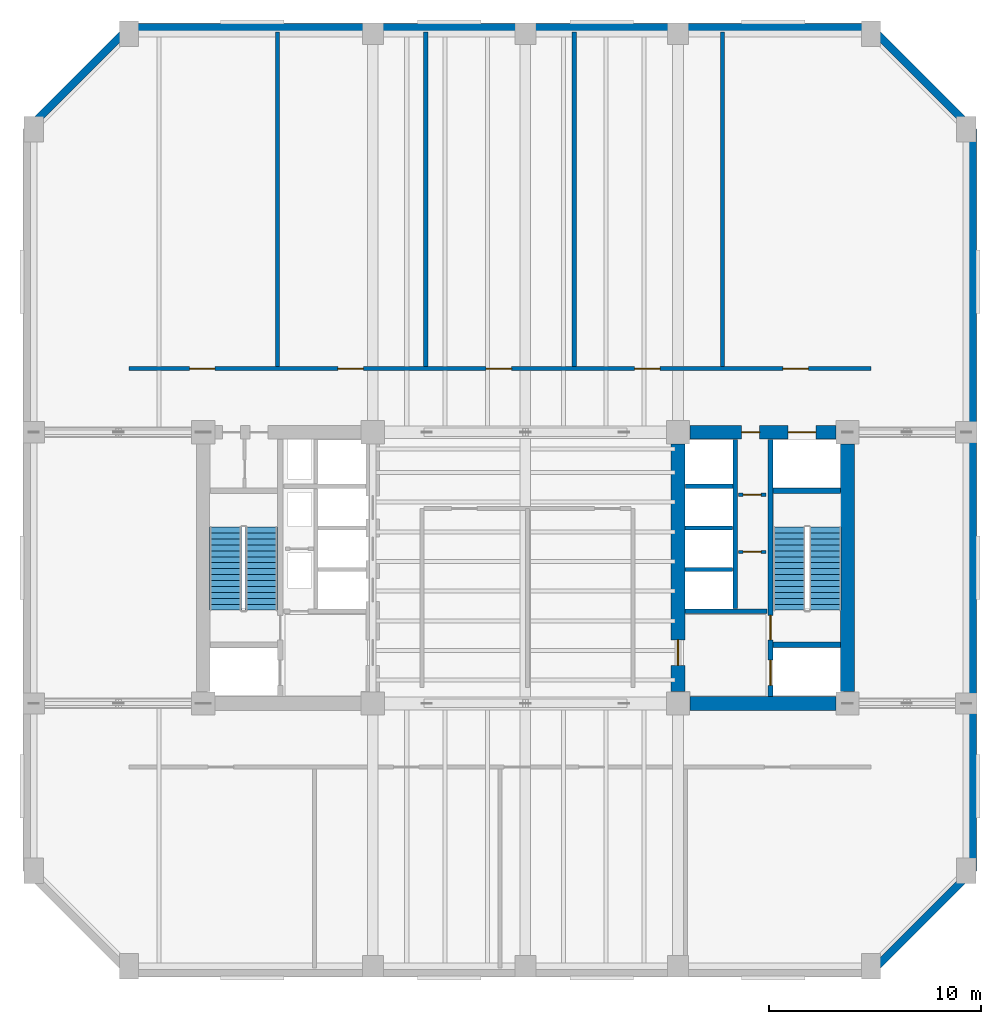
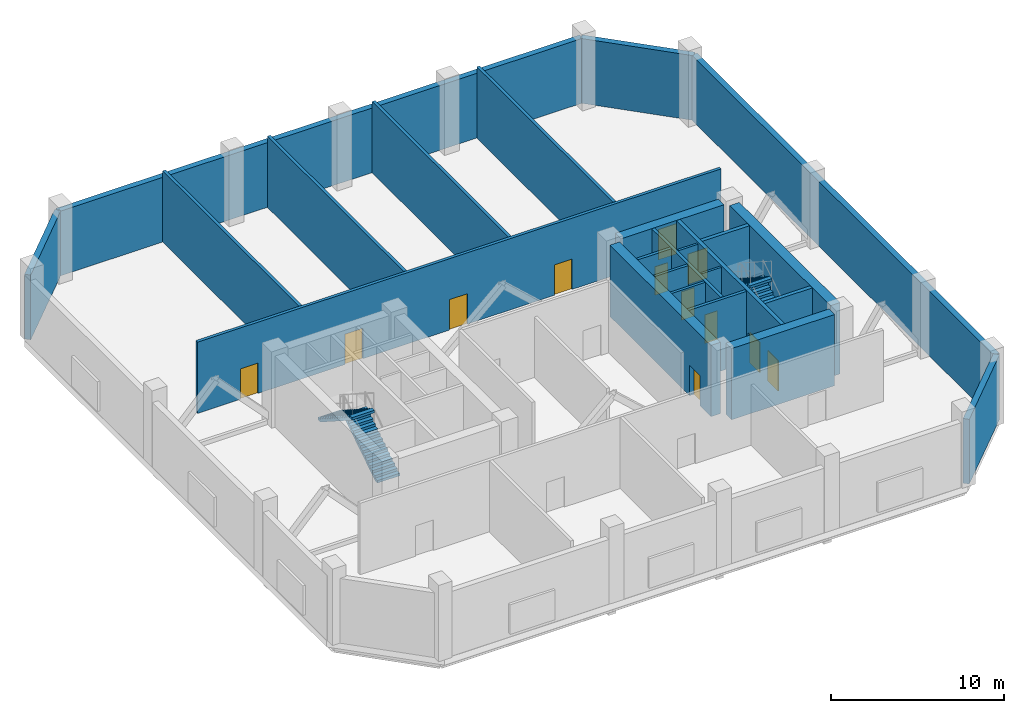
# One storey, part 6 of 9: 24 walls, 12 doors, 4 stair flights, 12 openings, 2 elements without a shape of their own.
"""IFC4 building model written with IfcOpenShell, lengths in metres."""

from ifc_helpers import new_model, si_unit, direction, frame, frame_2d, origin, place, context, subcontext, project, spatial, polyline, rectangle, outline, extrude, material, layer, layer_set, type_object, element, fill, aggregate, save


model = new_model("IFC4")

# Units and contexts
model_context = context("Model", 3, precision=1e-05, world=origin(), true_north=direction((0.0, 1.0)))
body_context = subcontext(model_context, "Body", "Model", "MODEL_VIEW")
ifc_project = project(units=[si_unit("LENGTHUNIT", "METRE"), si_unit("AREAUNIT", "SQUARE_METRE"), si_unit("VOLUMEUNIT", "CUBIC_METRE"), si_unit("PLANEANGLEUNIT", "RADIAN"), si_unit("MASSUNIT", "GRAM", prefix="KILO")], contexts=[model_context])

# Site, building, storey
site_placement = place(None, origin())
site = spatial("IfcSite", under=ifc_project, at=site_placement, CompositionType="ELEMENT")
building_placement = place(site_placement, origin())
building = spatial("IfcBuilding", under=site, at=building_placement, Name="Kranthara Brick Stack", CompositionType="ELEMENT")
storey_placement = place(building_placement, frame((0.0, 0.0, 110.10009765625)))
storey = spatial("IfcBuildingStorey", under=building, at=storey_placement, Name="L27", CompositionType="ELEMENT", Elevation=110.10009765625)

# Walls
ifc_material_1 = material(Name="Kiln-fired clay brick masonry M15", Category="masonry")
ifc_layer_1 = layer(ifc_material_1, 0.3798828125)
ifc_layer_set_1 = layer_set([ifc_layer_1], Name="Kiln-fired clay brick masonry M15")
wall_type_1 = type_object("IfcWallType", Name="WL-BRK-PIER-380", PredefinedType="STANDARD", material=ifc_layer_set_1)
wall_1_placement = place(storey_placement, frame((4.510009765625, 47.89990234375, 0.0), z_axis=(0.0, 0.0, 1.0), x_axis=(0.707106781187, 0.707106781187, 0.0)))
element("IfcWall", 1, at=wall_1_placement, inside=storey, type_object=wall_type_1, Name="L27 Exterior Brick Facade Wall NW 1", PredefinedType="STANDARD", context=body_context, shape_type="SweptSolid", body=[
    extrude(rectangle(XDim=6.774169921875, YDim=0.3798828125, at=frame_2d((3.38720703125, 0.0))), origin(), (0.0, 0.0, 1.0), 4.574951171875),
])
wall_2_placement = place(storey_placement, frame((9.300048828125, 52.68994140625, 0.0), z_axis=(0.0, 0.0, 1.0), x_axis=(1.0, 0.0, 0.0)))
element("IfcWall", 2, at=wall_2_placement, inside=storey, type_object=wall_type_1, Name="L27 Exterior Brick Facade Wall NORTH 1", PredefinedType="STANDARD", context=body_context, shape_type="SweptSolid", body=[
    extrude(rectangle(XDim=35.0, YDim=0.3798828125, at=frame_2d((17.5, 0.0))), origin(), (0.0, 0.0, 1.0), 4.574951171875),
])
wall_3_placement = place(storey_placement, frame((44.300048828125, 52.68994140625, 0.0), z_axis=(0.0, 0.0, 1.0), x_axis=(0.707106781187, -0.707106781187, 0.0)))
element("IfcWall", 3, at=wall_3_placement, inside=storey, type_object=wall_type_1, Name="L27 Exterior Brick Facade Wall NE 1", PredefinedType="STANDARD", context=body_context, shape_type="SweptSolid", body=[
    extrude(rectangle(XDim=6.774169921875, YDim=0.3798828125, at=frame_2d((3.38720703125, 0.0))), origin(), (0.0, 0.0, 1.0), 4.574951171875),
])
wall_4_placement = place(storey_placement, frame((49.090087890625, 47.89990234375, 0.0), z_axis=(0.0, 0.0, 1.0), x_axis=(0.0, -1.0, 0.0)))
element("IfcWall", 4, at=wall_4_placement, inside=storey, type_object=wall_type_1, Name="L27 Exterior Brick Facade Wall EAST 1", PredefinedType="STANDARD", context=body_context, shape_type="SweptSolid", body=[
    extrude(rectangle(XDim=35.0, YDim=0.3798828125, at=frame_2d((17.5, 0.0))), origin(), (0.0, 0.0, 1.0), 4.574951171875),
])
wall_5_placement = place(storey_placement, frame((49.090087890625, 12.89990234375, 0.0), z_axis=(0.0, 0.0, 1.0), x_axis=(-0.707124801467, -0.707088760447, 0.0)))
element("IfcWall", 5, at=wall_5_placement, inside=storey, type_object=wall_type_1, Name="L27 Exterior Brick Facade Wall SE 1", PredefinedType="STANDARD", context=body_context, shape_type="SweptSolid", body=[
    extrude(rectangle(XDim=6.77392578125, YDim=0.3798828125, at=frame_2d((3.386962890625, 0.0))), origin(), (0.0, 0.0, 1.0), 4.574951171875),
])

# Wall, openings, doors
ifc_material_2 = material(Name="Concrete C50/60", Category="concrete")
ifc_layer_2 = layer(ifc_material_2, 0.25)
ifc_layer_set_2 = layer_set([ifc_layer_2], Name="Concrete C50/60")
wall_type_2 = type_object("IfcWallType", Name="WL-CORE-250", PredefinedType="SHEAR", material=ifc_layer_set_2)
wall_6_placement = place(storey_placement, frame((39.56494140625, 21.135009765625, 0.0), z_axis=(0.0, 0.0, 1.0), x_axis=(0.0, 1.0, 0.0)))
wall_6 = element("IfcWall", 6, at=wall_6_placement, inside=storey, type_object=wall_type_2, Name="L27 East Core Stair Bearing Spine Wall", PredefinedType="SHEAR", context=body_context, shape_type="SweptSolid", body=[
    extrude(rectangle(XDim=12.1298828125, YDim=0.25, at=frame_2d((6.06494140625, 0.0))), origin(), (0.0, 0.0, 1.0), 5.039794921875),
])
opening_1_placement = place(wall_6_placement, frame((0.514892578125, 0.0, 0.0)))
opening_1 = element("IfcOpeningElement", 7, at=opening_1_placement, cuts=wall_6, Name="Opening LD01", PredefinedType="OPENING", context=body_context, shape_type="SweptSolid", body=[
    extrude(rectangle(XDim=1.199951171875, YDim=2.14990234375, at=frame_2d((0.60009765625, 1.074951171875))), frame((0.0, 0.135009765625, 0.0), z_axis=(0.0, -1.0, 0.0), x_axis=(1.0, 0.0, 0.0)), (0.0, 0.0, 1.0), 0.27001953125),
])
opening_2_placement = place(wall_6_placement, frame((2.6650390625, 0.0, 0.0)))
opening_2 = element("IfcOpeningElement", 8, at=opening_2_placement, cuts=wall_6, Name="Opening D05", PredefinedType="OPENING", context=body_context, shape_type="SweptSolid", body=[
    extrude(rectangle(XDim=1.14990234375, YDim=2.14990234375, at=frame_2d((0.574951171875, 1.074951171875))), frame((0.0, 0.135009765625, 0.0), z_axis=(0.0, -1.0, 0.0), x_axis=(1.0, 0.0, 0.0)), (0.0, 0.0, 1.0), 0.27001953125),
])
ifc_material_3 = material(Name="Stainless steel sliding landing door", Category="steel")
door_type_1 = type_object("IfcDoorType", Name="DR-LD-FF1200", OperationType="DOUBLE_DOOR_SLIDING", PredefinedType="DOOR", material=ifc_material_3)
door_1_placement = place(opening_1_placement, origin())
door_1 = element("IfcDoor", 9, at=door_1_placement, inside=storey, type_object=door_type_1, Name="L27 Firefighting Lift FF-02 Landing Door", OperationType="DOUBLE_DOOR_SLIDING", OverallHeight=2.14990234375, OverallWidth=1.199951171875, PredefinedType="DOOR", context=body_context, shape_type="SweptSolid", body=[
    extrude(rectangle(XDim=1.199951171875, YDim=2.14990234375, at=frame_2d((0.60009765625, 1.074951171875))), frame((0.0, 0.02490234375, 0.0), z_axis=(0.0, -1.0, 0.0), x_axis=(1.0, 0.0, 0.0)), (0.0, 0.0, 1.0), 0.050048828125),
])
fill(opening_1, door_1)
ifc_material_4 = material(Name="Solid-core hardwood timber leaf in steel frame", Category="steel")
door_type_2 = type_object("IfcDoorType", Name="DR-ST-1150", OperationType="NOTDEFINED", PredefinedType="DOOR", material=ifc_material_4)
door_2_placement = place(opening_2_placement, origin())
door_2 = element("IfcDoor", 10, at=door_2_placement, inside=storey, type_object=door_type_2, Name="L27 Exit Stair ST02 Door", OperationType="SINGLE_SWING_LEFT", OverallHeight=2.14990234375, OverallWidth=1.14990234375, PredefinedType="DOOR", context=body_context, shape_type="SweptSolid", body=[
    extrude(rectangle(XDim=1.14990234375, YDim=2.14990234375, at=frame_2d((0.574951171875, 1.074951171875))), frame((0.0, 0.02490234375, 0.0), z_axis=(0.0, -1.0, 0.0), x_axis=(1.0, 0.0, 0.0)), (0.0, 0.0, 1.0), 0.050048828125),
])
fill(opening_2, door_2)

# Walls
for number, where, z_axis, x_axis, name in (
    (11, (39.68994140625, 23.570068359375, 0.0), (0.0, 0.0, 1.0), (1.0, 0.0, 0.0), "L27 East Stairwell Bearing Wall EFF"),
    (12, (39.68994140625, 30.830078125, 0.0), (0.0, 0.0, 1.0), (1.0, 0.0, 0.0), "L27 East Stairwell Bearing Wall EST"),
):
    element("IfcWall", number, at=place(storey_placement, frame(where, z_axis=z_axis, x_axis=x_axis)), inside=storey, type_object=wall_type_2, Name=name, PredefinedType="SHEAR", context=body_context, shape_type="SweptSolid", body=[
        extrude(rectangle(XDim=3.175048828125, YDim=0.25, at=frame_2d((1.58740234375, 0.0))), origin(), (0.0, 0.0, 1.0), 5.039794921875),
    ])
ifc_material_5 = material(Name="Concrete C60/75", Category="concrete")
ifc_layer_3 = layer(ifc_material_5, 0.64990234375)
ifc_layer_set_3 = layer_set([ifc_layer_3], Name="Concrete C60/75")
wall_type_3 = type_object("IfcWallType", Name="WL-CORE-650", PredefinedType="SHEAR", material=ifc_layer_set_3)
wall_7_placement = place(storey_placement, frame((43.199951171875, 21.35498046875, 0.0), z_axis=(0.0, 0.0, 1.0), x_axis=(0.0, 1.0, 0.0)))
element("IfcWall", 13, at=wall_7_placement, inside=storey, type_object=wall_type_3, Name="L27 East Core Shear Wall East", PredefinedType="SHEAR", context=body_context, shape_type="SweptSolid", body=[
    extrude(rectangle(XDim=11.68994140625, YDim=0.64990234375, at=frame_2d((5.844970703125, 0.0))), origin(), (0.0, 0.0, 1.0), 5.039794921875),
])
wall_8_placement = place(storey_placement, frame((35.7548828125, 20.800048828125, 0.0), z_axis=(0.0, 0.0, 1.0), x_axis=(1.0, 0.0, 0.0)))
element("IfcWall", 14, at=wall_8_placement, inside=storey, type_object=wall_type_3, Name="L27 East Core Shear Wall South", PredefinedType="SHEAR", context=body_context, shape_type="SweptSolid", body=[
    extrude(rectangle(XDim=6.89013671875, YDim=0.64990234375, at=frame_2d((3.445068359375, 0.0))), origin(), (0.0, 0.0, 1.0), 5.039794921875),
])

# Wall, openings, doors
wall_9_placement = place(storey_placement, frame((35.7548828125, 33.60009765625, 0.0), z_axis=(0.0, 0.0, 1.0), x_axis=(1.0, 0.0, 0.0)))
wall_9 = element("IfcWall", 15, at=wall_9_placement, inside=storey, type_object=wall_type_3, Name="L27 East Core Shear Wall North", PredefinedType="SHEAR", context=body_context, shape_type="SweptSolid", body=[
    extrude(rectangle(XDim=6.89013671875, YDim=0.64990234375, at=frame_2d((3.445068359375, 0.0))), origin(), (0.0, 0.0, 1.0), 5.039794921875),
])
opening_3_placement = place(wall_9_placement, frame((4.64501953125, 0.0, 0.0)))
opening_3 = element("IfcOpeningElement", 16, at=opening_3_placement, cuts=wall_9, Name="Opening LD03", PredefinedType="OPENING", context=body_context, shape_type="SweptSolid", body=[
    extrude(rectangle(XDim=1.300048828125, YDim=2.14990234375, at=frame_2d((0.64990234375, 1.074951171875))), frame((0.0, 0.3349609375, 0.0), z_axis=(0.0, -1.0, 0.0), x_axis=(1.0, 0.0, 0.0)), (0.0, 0.0, 1.0), 0.669921875),
])
opening_4_placement = place(wall_9_placement, frame((2.445068359375, 0.0, 0.0)))
opening_4 = element("IfcOpeningElement", 17, at=opening_4_placement, cuts=wall_9, Name="Opening D10", PredefinedType="OPENING", context=body_context, shape_type="SweptSolid", body=[
    extrude(rectangle(XDim=0.85009765625, YDim=2.02001953125, at=frame_2d((0.425048828125, 1.010009765625))), frame((0.0, 0.3349609375, 0.0), z_axis=(0.0, -1.0, 0.0), x_axis=(1.0, 0.0, 0.0)), (0.0, 0.0, 1.0), 0.669921875),
])
ifc_material_6 = material(Name="Stainless steel sliding landing door", Category="steel")
door_type_3 = type_object("IfcDoorType", Name="DR-LD-SV1300", OperationType="DOUBLE_DOOR_SLIDING", PredefinedType="DOOR", material=ifc_material_6)
door_3_placement = place(opening_3_placement, origin())
door_3 = element("IfcDoor", 18, at=door_3_placement, inside=storey, type_object=door_type_3, Name="L27 Stretcher Service Lift SV-01 Landing Door", OperationType="DOUBLE_DOOR_SLIDING", OverallHeight=2.14990234375, OverallWidth=1.300048828125, PredefinedType="DOOR", context=body_context, shape_type="SweptSolid", body=[
    extrude(rectangle(XDim=1.300048828125, YDim=2.14990234375, at=frame_2d((0.64990234375, 1.074951171875))), frame((0.0, 0.02490234375, 0.0), z_axis=(0.0, -1.0, 0.0), x_axis=(1.0, 0.0, 0.0)), (0.0, 0.0, 1.0), 0.050048828125),
])
fill(opening_3, door_3)
ifc_material_7 = material(Name="Solid-core hardwood timber leaf in steel frame", Category="steel")
door_type_4 = type_object("IfcDoorType", Name="DR-RSR-850", OperationType="NOTDEFINED", PredefinedType="DOOR", material=ifc_material_7)
door_4_placement = place(opening_4_placement, origin())
door_4 = element("IfcDoor", 19, at=door_4_placement, inside=storey, type_object=door_type_4, Name="L27 East Core Service Room Door", OperationType="SINGLE_SWING_LEFT", OverallHeight=2.02001953125, OverallWidth=0.85009765625, PredefinedType="DOOR", context=body_context, shape_type="SweptSolid", body=[
    extrude(rectangle(XDim=0.85009765625, YDim=2.02001953125, at=frame_2d((0.425048828125, 1.010009765625))), frame((0.0, 0.02490234375, 0.0), z_axis=(0.0, -1.0, 0.0), x_axis=(1.0, 0.0, 0.0)), (0.0, 0.0, 1.0), 0.050048828125),
])
fill(opening_4, door_4)

# Wall, opening, door
wall_10_placement = place(storey_placement, frame((35.199951171875, 21.35498046875, 0.0), z_axis=(0.0, 0.0, 1.0), x_axis=(0.0, 1.0, 0.0)))
wall_10 = element("IfcWall", 20, at=wall_10_placement, inside=storey, type_object=wall_type_3, Name="L27 East Core Shear Wall West", PredefinedType="SHEAR", context=body_context, shape_type="SweptSolid", body=[
    extrude(rectangle(XDim=11.68994140625, YDim=0.64990234375, at=frame_2d((5.844970703125, 0.0))), origin(), (0.0, 0.0, 1.0), 5.039794921875),
])
opening_5_placement = place(wall_10_placement, frame((1.2451171875, 0.0, 0.0)))
opening_5 = element("IfcOpeningElement", 21, at=opening_5_placement, cuts=wall_10, Name="Opening D06", PredefinedType="OPENING", context=body_context, shape_type="SweptSolid", body=[
    extrude(rectangle(XDim=1.199951171875, YDim=2.14990234375, at=frame_2d((0.60009765625, 1.074951171875))), frame((0.0, 0.3349609375, 0.0), z_axis=(0.0, -1.0, 0.0), x_axis=(1.0, 0.0, 0.0)), (0.0, 0.0, 1.0), 0.669921875),
])
ifc_material_8 = material(Name="Solid-core hardwood timber leaf in steel frame", Category="steel")
door_type_5 = type_object("IfcDoorType", Name="DR-FFL-1200", OperationType="NOTDEFINED", PredefinedType="DOOR", material=ifc_material_8)
door_5_placement = place(opening_5_placement, origin())
door_5 = element("IfcDoor", 22, at=door_5_placement, inside=storey, type_object=door_type_5, Name="L27 East Firefighting Lobby Door", OperationType="SINGLE_SWING_RIGHT", OverallHeight=2.14990234375, OverallWidth=1.199951171875, PredefinedType="DOOR", context=body_context, shape_type="SweptSolid", body=[
    extrude(rectangle(XDim=1.199951171875, YDim=2.14990234375, at=frame_2d((0.60009765625, 1.074951171875))), frame((0.0, 0.02490234375, 0.0), z_axis=(0.0, -1.0, 0.0), x_axis=(1.0, 0.0, 0.0)), (0.0, 0.0, 1.0), 0.050048828125),
])
fill(opening_5, door_5)

ifc_material_9 = material(Name="Fire-rated gypsum board partition", Category="other")
ifc_layer_4 = layer(ifc_material_9, 0.14990234375)
ifc_layer_set_4 = layer_set([ifc_layer_4], Name="Fire-rated gypsum board partition")
wall_type_4 = type_object("IfcWallType", Name="WL-PART-150", PredefinedType="PARTITIONING", material=ifc_layer_set_4)
wall_11_placement = place(storey_placement, frame((38.050048828125, 27.949951171875, 0.0), z_axis=(0.0, 0.0, 1.0), x_axis=(1.0, 0.0, 0.0)))
wall_11 = element("IfcWall", 23, at=wall_11_placement, inside=storey, type_object=wall_type_4, Name="L27 Interior Partition 002", PredefinedType="PARTITIONING", context=body_context, shape_type="SweptSolid", body=[
    extrude(rectangle(XDim=1.300048828125, YDim=0.14990234375, at=frame_2d((0.64990234375, 0.0))), origin(), (0.0, 0.0, 1.0), 5.039794921875),
])
opening_6_placement = place(wall_11_placement, frame((0.219970703125, 0.0, 0.0)))
opening_6 = element("IfcOpeningElement", 24, at=opening_6_placement, cuts=wall_11, Name="Opening D10", PredefinedType="OPENING", context=body_context, shape_type="SweptSolid", body=[
    extrude(rectangle(XDim=0.85009765625, YDim=2.02001953125, at=frame_2d((0.425048828125, 1.010009765625))), frame((0.0, 0.0849609375, 0.0), z_axis=(0.0, -1.0, 0.0), x_axis=(1.0, 0.0, 0.0)), (0.0, 0.0, 1.0), 0.169921875),
])
door_6_placement = place(opening_6_placement, origin())
door_6 = element("IfcDoor", 25, at=door_6_placement, inside=storey, type_object=door_type_4, Name="L27 Riser Door 1 02", OperationType="SINGLE_SWING_RIGHT", OverallHeight=2.02001953125, OverallWidth=0.85009765625, PredefinedType="DOOR", context=body_context, shape_type="SweptSolid", body=[
    extrude(rectangle(XDim=0.85009765625, YDim=2.02001953125, at=frame_2d((0.425048828125, 1.010009765625))), frame((0.0, 0.02490234375, 0.0), z_axis=(0.0, -1.0, 0.0), x_axis=(1.0, 0.0, 0.0)), (0.0, 0.0, 1.0), 0.050048828125),
])
fill(opening_6, door_6)

wall_12_placement = place(storey_placement, frame((38.050048828125, 30.64990234375, 0.0), z_axis=(0.0, 0.0, 1.0), x_axis=(1.0, 0.0, 0.0)))
wall_12 = element("IfcWall", 26, at=wall_12_placement, inside=storey, type_object=wall_type_4, Name="L27 Interior Partition 003", PredefinedType="PARTITIONING", context=body_context, shape_type="SweptSolid", body=[
    extrude(rectangle(XDim=1.300048828125, YDim=0.14990234375, at=frame_2d((0.64990234375, 0.0))), origin(), (0.0, 0.0, 1.0), 5.039794921875),
])
opening_7_placement = place(wall_12_placement, frame((0.219970703125, 0.0, 0.0)))
opening_7 = element("IfcOpeningElement", 27, at=opening_7_placement, cuts=wall_12, Name="Opening D10", PredefinedType="OPENING", context=body_context, shape_type="SweptSolid", body=[
    extrude(rectangle(XDim=0.85009765625, YDim=2.02001953125, at=frame_2d((0.425048828125, 1.010009765625))), frame((0.0, 0.0849609375, 0.0), z_axis=(0.0, -1.0, 0.0), x_axis=(1.0, 0.0, 0.0)), (0.0, 0.0, 1.0), 0.169921875),
])
door_7_placement = place(opening_7_placement, origin())
door_7 = element("IfcDoor", 28, at=door_7_placement, inside=storey, type_object=door_type_4, Name="L27 Riser Door 2 03", OperationType="SINGLE_SWING_LEFT", OverallHeight=2.02001953125, OverallWidth=0.85009765625, PredefinedType="DOOR", context=body_context, shape_type="SweptSolid", body=[
    extrude(rectangle(XDim=0.85009765625, YDim=2.02001953125, at=frame_2d((0.425048828125, 1.010009765625))), frame((0.0, 0.02490234375, 0.0), z_axis=(0.0, -1.0, 0.0), x_axis=(1.0, 0.0, 0.0)), (0.0, 0.0, 1.0), 0.050048828125),
])
fill(opening_7, door_7)

# Walls
ifc_material_10 = material(Name="Gypsum plasterboard on acoustic twin stud", Category="other")
ifc_layer_5 = layer(ifc_material_10, 0.179931640625)
ifc_layer_set_5 = layer_set([ifc_layer_5], Name="Gypsum plasterboard on acoustic twin stud")
wall_type_5 = type_object("IfcWallType", Name="WL-PART-180", PredefinedType="PARTITIONING", material=ifc_layer_set_5)
for number, where, z_axis, x_axis, name in (
    (29, (35.534912109375, 27.1201171875, 0.0), (0.0, 0.0, 1.0), (1.0, 0.0, 0.0), "L27 East Hoistway Wall EH1"),
    (30, (35.534912109375, 29.080078125, 0.0), (0.0, 0.0, 1.0), (1.0, 0.0, 0.0), "L27 East Hoistway Wall EH2"),
):
    element("IfcWall", number, at=place(storey_placement, frame(where, z_axis=z_axis, x_axis=x_axis)), inside=storey, type_object=wall_type_5, Name=name, PredefinedType="PARTITIONING", context=body_context, shape_type="SweptSolid", body=[
        extrude(rectangle(XDim=2.2451171875, YDim=0.179931640625, at=frame_2d((1.12255859375, 0.0))), origin(), (0.0, 0.0, 1.0), 5.039794921875),
    ])
ifc_material_11 = material(Name="Concrete C40/50", Category="concrete")
ifc_layer_6 = layer(ifc_material_11, 0.199951171875)
ifc_layer_set_6 = layer_set([ifc_layer_6], Name="Concrete C40/50")
wall_type_6 = type_object("IfcWallType", Name="WL-PART-200", PredefinedType="SOLIDWALL", material=ifc_layer_set_6)
wall_13_placement = place(storey_placement, frame((35.534912109375, 25.14990234375, 0.0), z_axis=(0.0, 0.0, 1.0), x_axis=(1.0, 0.0, 0.0)))
element("IfcWall", 31, at=wall_13_placement, inside=storey, type_object=wall_type_6, Name="L27 East Core Cross Wall EFL", PredefinedType="SOLIDWALL", context=body_context, shape_type="SweptSolid", body=[
    extrude(rectangle(XDim=3.864990234375, YDim=0.199951171875, at=frame_2d((1.9326171875, 0.0))), origin(), (0.0, 0.0, 1.0), 5.039794921875),
])
wall_14_placement = place(storey_placement, frame((35.550048828125, 31.050048828125, 0.0), z_axis=(0.0, 0.0, 1.0), x_axis=(1.0, 0.0, 0.0)))
element("IfcWall", 32, at=wall_14_placement, inside=storey, type_object=wall_type_6, Name="L27 East Core Cross Wall EE4", PredefinedType="SOLIDWALL", context=body_context, shape_type="SweptSolid", body=[
    extrude(rectangle(XDim=2.25, YDim=0.199951171875, at=frame_2d((1.125, 0.0))), origin(), (0.0, 0.0, 1.0), 5.039794921875),
])
wall_15_placement = place(storey_placement, frame((37.89990234375, 25.27001953125, 0.0), z_axis=(0.0, 0.0, 1.0), x_axis=(0.0, 1.0, 0.0)))
element("IfcWall", 33, at=wall_15_placement, inside=storey, type_object=wall_type_6, Name="L27 East Core Cross Wall ESV", PredefinedType="SOLIDWALL", context=body_context, shape_type="SweptSolid", body=[
    extrude(rectangle(XDim=7.994873046875, YDim=0.199951171875, at=frame_2d((3.99755859375, 0.0))), origin(), (0.0, 0.0, 1.0), 5.039794921875),
])

# Wall, openings, doors
wall_16_placement = place(storey_placement, frame((9.300048828125, 36.60009765625, 0.0), z_axis=(0.0, 0.0, 1.0), x_axis=(1.0, 0.0, 0.0)))
wall_16 = element("IfcWall", 34, at=wall_16_placement, inside=storey, type_object=wall_type_6, Name="L27 Interior Partition 006", PredefinedType="SOLIDWALL", context=body_context, shape_type="SweptSolid", body=[
    extrude(rectangle(XDim=35.0, YDim=0.199951171875, at=frame_2d((17.5, 0.0))), origin(), (0.0, 0.0, 1.0), 5.039794921875),
])
opening_8_placement = place(wall_16_placement, frame((2.85009765625, 0.0, 0.0)))
opening_8 = element("IfcOpeningElement", 35, at=opening_8_placement, cuts=wall_16, Name="Opening D21", PredefinedType="OPENING", context=body_context, shape_type="SweptSolid", body=[
    extrude(rectangle(XDim=1.199951171875, YDim=2.14990234375, at=frame_2d((0.60009765625, 1.074951171875))), frame((0.0, 0.10986328125, 0.0), z_axis=(0.0, -1.0, 0.0), x_axis=(1.0, 0.0, 0.0)), (0.0, 0.0, 1.0), 0.219970703125),
])
opening_9_placement = place(wall_16_placement, frame((9.85009765625, 0.0, 0.0)))
opening_9 = element("IfcOpeningElement", 36, at=opening_9_placement, cuts=wall_16, Name="Opening D21", PredefinedType="OPENING", context=body_context, shape_type="SweptSolid", body=[
    extrude(rectangle(XDim=1.199951171875, YDim=2.14990234375, at=frame_2d((0.60009765625, 1.074951171875))), frame((0.0, 0.10986328125, 0.0), z_axis=(0.0, -1.0, 0.0), x_axis=(1.0, 0.0, 0.0)), (0.0, 0.0, 1.0), 0.219970703125),
])
opening_10_placement = place(wall_16_placement, frame((16.85009765625, 0.0, 0.0)))
opening_10 = element("IfcOpeningElement", 37, at=opening_10_placement, cuts=wall_16, Name="Opening D21", PredefinedType="OPENING", context=body_context, shape_type="SweptSolid", body=[
    extrude(rectangle(XDim=1.199951171875, YDim=2.14990234375, at=frame_2d((0.60009765625, 1.074951171875))), frame((0.0, 0.10986328125, 0.0), z_axis=(0.0, -1.0, 0.0), x_axis=(1.0, 0.0, 0.0)), (0.0, 0.0, 1.0), 0.219970703125),
])
opening_11_placement = place(wall_16_placement, frame((23.85009765625, 0.0, 0.0)))
opening_11 = element("IfcOpeningElement", 38, at=opening_11_placement, cuts=wall_16, Name="Opening D21", PredefinedType="OPENING", context=body_context, shape_type="SweptSolid", body=[
    extrude(rectangle(XDim=1.199951171875, YDim=2.14990234375, at=frame_2d((0.60009765625, 1.074951171875))), frame((0.0, 0.10986328125, 0.0), z_axis=(0.0, -1.0, 0.0), x_axis=(1.0, 0.0, 0.0)), (0.0, 0.0, 1.0), 0.219970703125),
])
opening_12_placement = place(wall_16_placement, frame((30.85009765625, 0.0, 0.0)))
opening_12 = element("IfcOpeningElement", 39, at=opening_12_placement, cuts=wall_16, Name="Opening D21", PredefinedType="OPENING", context=body_context, shape_type="SweptSolid", body=[
    extrude(rectangle(XDim=1.199951171875, YDim=2.14990234375, at=frame_2d((0.60009765625, 1.074951171875))), frame((0.0, 0.10986328125, 0.0), z_axis=(0.0, -1.0, 0.0), x_axis=(1.0, 0.0, 0.0)), (0.0, 0.0, 1.0), 0.219970703125),
])
ifc_material_12 = material(Name="Solid-core hardwood timber leaf in steel frame", Category="steel")
door_type_6 = type_object("IfcDoorType", Name="DR-FD-1200", OperationType="NOTDEFINED", PredefinedType="DOOR", material=ifc_material_12)
door_8_placement = place(opening_8_placement, origin())
door_8 = element("IfcDoor", 40, at=door_8_placement, inside=storey, type_object=door_type_6, Name="L27 North Plant 4 11", OperationType="SINGLE_SWING_LEFT", OverallHeight=2.14990234375, OverallWidth=1.199951171875, PredefinedType="DOOR", context=body_context, shape_type="SweptSolid", body=[
    extrude(rectangle(XDim=1.199951171875, YDim=2.14990234375, at=frame_2d((0.60009765625, 1.074951171875))), frame((0.0, 0.02490234375, 0.0), z_axis=(0.0, -1.0, 0.0), x_axis=(1.0, 0.0, 0.0)), (0.0, 0.0, 1.0), 0.050048828125),
])
fill(opening_8, door_8)
door_9_placement = place(opening_9_placement, origin())
door_9 = element("IfcDoor", 41, at=door_9_placement, inside=storey, type_object=door_type_6, Name="L27 North Plant 5 12", OperationType="SINGLE_SWING_RIGHT", OverallHeight=2.14990234375, OverallWidth=1.199951171875, PredefinedType="DOOR", context=body_context, shape_type="SweptSolid", body=[
    extrude(rectangle(XDim=1.199951171875, YDim=2.14990234375, at=frame_2d((0.60009765625, 1.074951171875))), frame((0.0, 0.02490234375, 0.0), z_axis=(0.0, -1.0, 0.0), x_axis=(1.0, 0.0, 0.0)), (0.0, 0.0, 1.0), 0.050048828125),
])
fill(opening_9, door_9)
door_10_placement = place(opening_10_placement, origin())
door_10 = element("IfcDoor", 42, at=door_10_placement, inside=storey, type_object=door_type_6, Name="L27 North Plant 6 13", OperationType="SINGLE_SWING_LEFT", OverallHeight=2.14990234375, OverallWidth=1.199951171875, PredefinedType="DOOR", context=body_context, shape_type="SweptSolid", body=[
    extrude(rectangle(XDim=1.199951171875, YDim=2.14990234375, at=frame_2d((0.60009765625, 1.074951171875))), frame((0.0, 0.02490234375, 0.0), z_axis=(0.0, -1.0, 0.0), x_axis=(1.0, 0.0, 0.0)), (0.0, 0.0, 1.0), 0.050048828125),
])
fill(opening_10, door_10)
door_11_placement = place(opening_11_placement, origin())
door_11 = element("IfcDoor", 43, at=door_11_placement, inside=storey, type_object=door_type_6, Name="L27 North Plant 7 14", OperationType="SINGLE_SWING_RIGHT", OverallHeight=2.14990234375, OverallWidth=1.199951171875, PredefinedType="DOOR", context=body_context, shape_type="SweptSolid", body=[
    extrude(rectangle(XDim=1.199951171875, YDim=2.14990234375, at=frame_2d((0.60009765625, 1.074951171875))), frame((0.0, 0.02490234375, 0.0), z_axis=(0.0, -1.0, 0.0), x_axis=(1.0, 0.0, 0.0)), (0.0, 0.0, 1.0), 0.050048828125),
])
fill(opening_11, door_11)
door_12_placement = place(opening_12_placement, origin())
door_12 = element("IfcDoor", 44, at=door_12_placement, inside=storey, type_object=door_type_6, Name="L27 North Plant 8 15", OperationType="SINGLE_SWING_LEFT", OverallHeight=2.14990234375, OverallWidth=1.199951171875, PredefinedType="DOOR", context=body_context, shape_type="SweptSolid", body=[
    extrude(rectangle(XDim=1.199951171875, YDim=2.14990234375, at=frame_2d((0.60009765625, 1.074951171875))), frame((0.0, 0.02490234375, 0.0), z_axis=(0.0, -1.0, 0.0), x_axis=(1.0, 0.0, 0.0)), (0.0, 0.0, 1.0), 0.050048828125),
])
fill(opening_12, door_12)

# Walls
for number, where, z_axis, x_axis, name in (
    (45, (16.300048828125, 36.705078125, 0.0), (0.0, 0.0, 1.0), (0.0, 1.0, 0.0), "L27 Interior Partition 014"),
    (46, (23.300048828125, 36.705078125, 0.0), (0.0, 0.0, 1.0), (0.0, 1.0, 0.0), "L27 Interior Partition 015"),
    (47, (30.300048828125, 36.705078125, 0.0), (0.0, 0.0, 1.0), (0.0, 1.0, 0.0), "L27 Interior Partition 016"),
    (48, (37.300048828125, 36.705078125, 0.0), (0.0, 0.0, 1.0), (0.0, 1.0, 0.0), "L27 Interior Partition 017"),
):
    element("IfcWall", number, at=place(storey_placement, frame(where, z_axis=z_axis, x_axis=x_axis)), inside=storey, type_object=wall_type_6, Name=name, PredefinedType="SOLIDWALL", context=body_context, shape_type="SweptSolid", body=[
        extrude(rectangle(XDim=15.7900390625, YDim=0.199951171875, at=frame_2d((7.89501953125, 0.0))), origin(), (0.0, 0.0, 1.0), 5.039794921875),
    ])

# Stair, stair flights
ifc_material_13 = material(Name="Concrete C45/55", Category="concrete")
stair_type = type_object("IfcStairType", Name="ST-CORE-30R", PredefinedType="HALF_TURN_STAIR", material=ifc_material_13)
stair_1_placement = place(storey_placement, origin())
stair_1 = element("IfcStair", 49, at=stair_1_placement, inside=storey, type_object=stair_type, Name="L27 West Core Protected Exit Stair ST01", PredefinedType="HALF_TURN_STAIR")
ifc_material_14 = material(Name="Concrete C45/55", Category="concrete")
stair_flight_type = type_object("IfcStairFlightType", Name="SFL-RC-30R", PredefinedType="STRAIGHT", material=ifc_material_14)
stair_flight_1_placement = place(storey_placement, frame((15.550048828125, 25.199951171875, 0.0), z_axis=(0.0, 0.0, 1.0), x_axis=(0.0, 1.0, 0.0)))
stair_flight_1 = element("IfcStairFlight", 50, at=stair_flight_1_placement, type_object=stair_flight_type, Name="ST01 flight 1", NumberOfRisers=15, NumberOfTreads=14, PredefinedType="STRAIGHT", RiserHeight=0.18, TreadLength=0.28, context=body_context, shape_type="SweptSolid", body=[
    extrude(outline(polyline([(0.0, 0.0), (0.0, 0.179931640625), (0.280029296875, 0.179931640625), (0.280029296875, 0.360107421875), (0.56005859375, 0.360107421875), (0.56005859375, 0.5400390625), (0.840087890625, 0.5400390625), (0.840087890625, 0.719970703125), (1.1201171875, 0.719970703125), (1.1201171875, 0.89990234375), (1.39990234375, 0.89990234375), (1.39990234375, 1.080078125), (1.679931640625, 1.080078125), (1.679931640625, 1.260009765625), (1.9599609375, 1.260009765625), (1.9599609375, 1.43994140625), (2.239990234375, 1.43994140625), (2.239990234375, 1.6201171875), (2.52001953125, 1.6201171875), (2.52001953125, 1.800048828125), (2.800048828125, 1.800048828125), (2.800048828125, 1.97998046875), (3.080078125, 1.97998046875), (3.080078125, 2.159912109375), (3.360107421875, 2.159912109375), (3.360107421875, 2.340087890625), (3.639892578125, 2.340087890625), (3.639892578125, 2.52001953125), (3.919921875, 2.52001953125), (3.919921875, 2.699951171875), (3.919921875, 2.341796875), (0.277099609375, 0.0), (0.0, 0.0)])), frame((0.0, 0.75, 0.0), z_axis=(0.0, -1.0, 0.0), x_axis=(1.0, 0.0, 0.0)), (0.0, 0.0, 1.0), 1.5),
])
stair_flight_2_placement = place(storey_placement, frame((13.85009765625, 29.1201171875, 2.699951171875), z_axis=(0.0, 0.0, 1.0), x_axis=(0.0, -1.0, 0.0)))
stair_flight_2 = element("IfcStairFlight", 51, at=stair_flight_2_placement, type_object=stair_flight_type, Name="ST01 flight 2", NumberOfRisers=15, NumberOfTreads=14, PredefinedType="STRAIGHT", RiserHeight=0.18, TreadLength=0.28, context=body_context, shape_type="SweptSolid", body=[
    extrude(outline(polyline([(0.0, 0.0), (0.0, 0.179931640625), (0.280029296875, 0.179931640625), (0.280029296875, 0.360107421875), (0.56005859375, 0.360107421875), (0.56005859375, 0.5400390625), (0.840087890625, 0.5400390625), (0.840087890625, 0.719970703125), (1.1201171875, 0.719970703125), (1.1201171875, 0.89990234375), (1.39990234375, 0.89990234375), (1.39990234375, 1.080078125), (1.679931640625, 1.080078125), (1.679931640625, 1.260009765625), (1.9599609375, 1.260009765625), (1.9599609375, 1.43994140625), (2.239990234375, 1.43994140625), (2.239990234375, 1.6201171875), (2.52001953125, 1.6201171875), (2.52001953125, 1.800048828125), (2.800048828125, 1.800048828125), (2.800048828125, 1.97998046875), (3.080078125, 1.97998046875), (3.080078125, 2.159912109375), (3.360107421875, 2.159912109375), (3.360107421875, 2.340087890625), (3.639892578125, 2.340087890625), (3.639892578125, 2.52001953125), (3.919921875, 2.52001953125), (3.919921875, 2.699951171875), (3.919921875, 2.341796875), (0.277099609375, 0.0), (0.0, 0.0)])), frame((0.0, 0.75, 0.0), z_axis=(0.0, -1.0, 0.0), x_axis=(1.0, 0.0, 0.0)), (0.0, 0.0, 1.0), 1.5),
])
aggregate(stair_1, [stair_flight_1, stair_flight_2])

stair_2_placement = place(storey_placement, origin())
stair_2 = element("IfcStair", 52, at=stair_2_placement, inside=storey, type_object=stair_type, Name="L27 East Core Protected Exit Stair ST02", PredefinedType="HALF_TURN_STAIR")
stair_flight_3_placement = place(storey_placement, frame((42.14990234375, 25.199951171875, 0.0), z_axis=(0.0, 0.0, 1.0), x_axis=(0.0, 1.0, 0.0)))
stair_flight_3 = element("IfcStairFlight", 53, at=stair_flight_3_placement, type_object=stair_flight_type, Name="ST02 flight 1", NumberOfRisers=15, NumberOfTreads=14, PredefinedType="STRAIGHT", RiserHeight=0.18, TreadLength=0.28, context=body_context, shape_type="SweptSolid", body=[
    extrude(outline(polyline([(0.0, 0.0), (0.0, 0.179931640625), (0.280029296875, 0.179931640625), (0.280029296875, 0.360107421875), (0.56005859375, 0.360107421875), (0.56005859375, 0.5400390625), (0.840087890625, 0.5400390625), (0.840087890625, 0.719970703125), (1.1201171875, 0.719970703125), (1.1201171875, 0.89990234375), (1.39990234375, 0.89990234375), (1.39990234375, 1.080078125), (1.679931640625, 1.080078125), (1.679931640625, 1.260009765625), (1.9599609375, 1.260009765625), (1.9599609375, 1.43994140625), (2.239990234375, 1.43994140625), (2.239990234375, 1.6201171875), (2.52001953125, 1.6201171875), (2.52001953125, 1.800048828125), (2.800048828125, 1.800048828125), (2.800048828125, 1.97998046875), (3.080078125, 1.97998046875), (3.080078125, 2.159912109375), (3.360107421875, 2.159912109375), (3.360107421875, 2.340087890625), (3.639892578125, 2.340087890625), (3.639892578125, 2.52001953125), (3.919921875, 2.52001953125), (3.919921875, 2.699951171875), (3.919921875, 2.341796875), (0.277099609375, 0.0), (0.0, 0.0)])), frame((0.0, 0.75, 0.0), z_axis=(0.0, -1.0, 0.0), x_axis=(1.0, 0.0, 0.0)), (0.0, 0.0, 1.0), 1.5),
])
stair_flight_4_placement = place(storey_placement, frame((40.449951171875, 29.1201171875, 2.699951171875), z_axis=(0.0, 0.0, 1.0), x_axis=(0.0, -1.0, 0.0)))
stair_flight_4 = element("IfcStairFlight", 54, at=stair_flight_4_placement, type_object=stair_flight_type, Name="ST02 flight 2", NumberOfRisers=15, NumberOfTreads=14, PredefinedType="STRAIGHT", RiserHeight=0.18, TreadLength=0.28, context=body_context, shape_type="SweptSolid", body=[
    extrude(outline(polyline([(0.0, 0.0), (0.0, 0.179931640625), (0.280029296875, 0.179931640625), (0.280029296875, 0.360107421875), (0.56005859375, 0.360107421875), (0.56005859375, 0.5400390625), (0.840087890625, 0.5400390625), (0.840087890625, 0.719970703125), (1.1201171875, 0.719970703125), (1.1201171875, 0.89990234375), (1.39990234375, 0.89990234375), (1.39990234375, 1.080078125), (1.679931640625, 1.080078125), (1.679931640625, 1.260009765625), (1.9599609375, 1.260009765625), (1.9599609375, 1.43994140625), (2.239990234375, 1.43994140625), (2.239990234375, 1.6201171875), (2.52001953125, 1.6201171875), (2.52001953125, 1.800048828125), (2.800048828125, 1.800048828125), (2.800048828125, 1.97998046875), (3.080078125, 1.97998046875), (3.080078125, 2.159912109375), (3.360107421875, 2.159912109375), (3.360107421875, 2.340087890625), (3.639892578125, 2.340087890625), (3.639892578125, 2.52001953125), (3.919921875, 2.52001953125), (3.919921875, 2.699951171875), (3.919921875, 2.341796875), (0.277099609375, 0.0), (0.0, 0.0)])), frame((0.0, 0.75, 0.0), z_axis=(0.0, -1.0, 0.0), x_axis=(1.0, 0.0, 0.0)), (0.0, 0.0, 1.0), 1.5),
])
aggregate(stair_2, [stair_flight_3, stair_flight_4])

save(model, "model.ifc")
